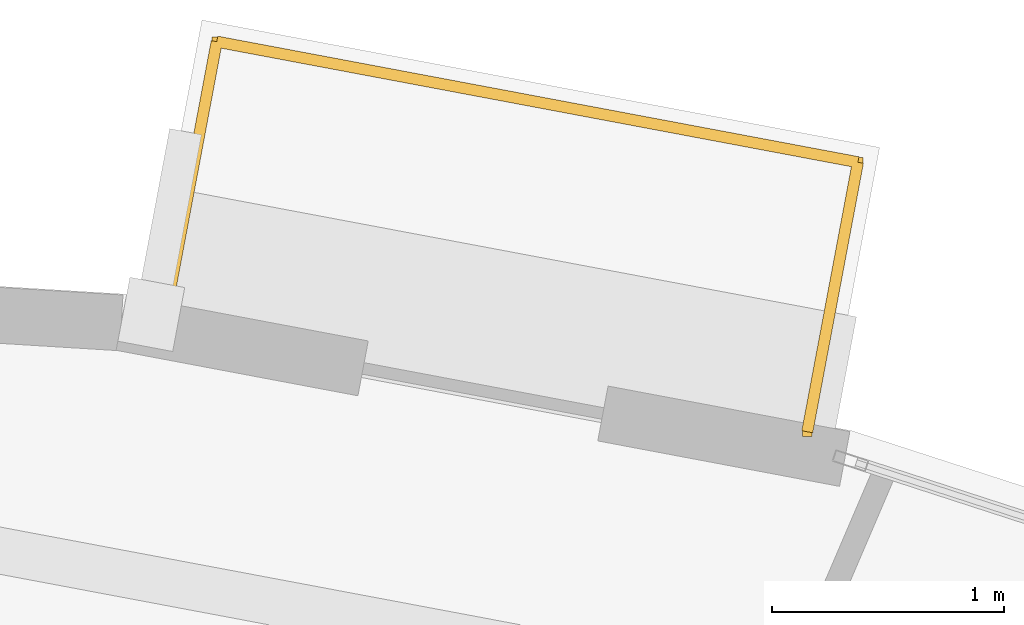
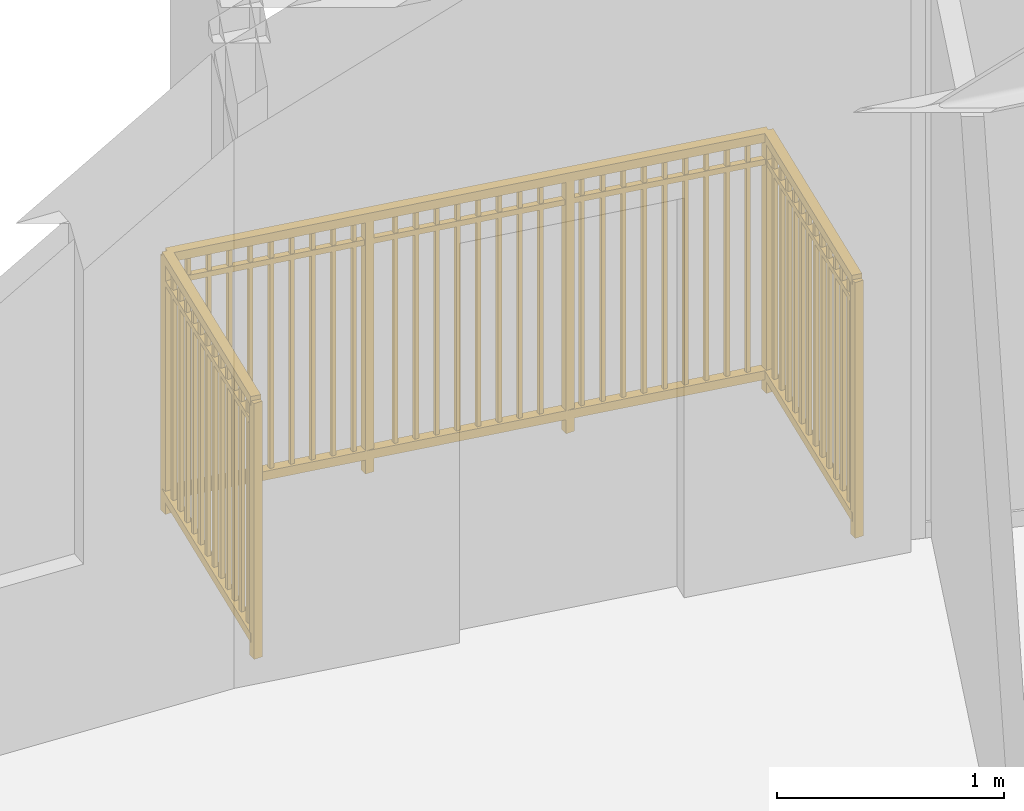
# One storey, part 17 of 17: 1 railing.
"""IFC4 building model written with IfcOpenShell, lengths in metres."""

from ifc_helpers import new_model, si_unit, direction, frame, origin, origin_2d, place, context, subcontext, project, spatial, rectangle, extrude, source, transform, mapped, material, type_object, element, save


model = new_model("IFC4")

# Units and contexts
model_context = context("Model", 3, precision=1e-05, world=origin(), true_north=direction((0.0, 1.0)))
body_context = subcontext(model_context, "Body", "Model", "MODEL_VIEW")
ifc_project = project(units=[si_unit("LENGTHUNIT", "METRE"), si_unit("AREAUNIT", "SQUARE_METRE"), si_unit("VOLUMEUNIT", "CUBIC_METRE"), si_unit("PLANEANGLEUNIT", "RADIAN"), si_unit("MASSUNIT", "GRAM", prefix="KILO")], contexts=[model_context])

# Site, building, storey
site_placement = place(None, origin())
site = spatial("IfcSite", under=ifc_project, at=site_placement, CompositionType="ELEMENT")
building_placement = place(site_placement, origin())
building = spatial("IfcBuilding", under=site, at=building_placement, Name="Linh Dai School and Residence Tower", CompositionType="ELEMENT")
storey_placement = place(building_placement, frame((0.0, 0.0, 335.39990234375)))
storey = spatial("IfcBuildingStorey", under=building, at=storey_placement, Name="L83", CompositionType="ELEMENT", Elevation=335.39990234375)

# Railing
ifc_material = material(Name="Structural Steel S355JR", Category="steel")
railing_type = type_object("IfcRailingType", Name="RL-BAL-1400", PredefinedType="BALUSTRADE", material=ifc_material)
shared_shape = source(origin(), body_context, "Body", "SweptSolid", [
    extrude(rectangle(XDim=0.048095703125, YDim=0.048095703125, at=origin_2d()), frame((0.0, 0.0, 1.3759765625), z_axis=(0.18476321632, 0.982783065531, 0.0), x_axis=(-0.982783065531, 0.18476321632, 0.0)), (0.0, 0.0, 1.0), 1.179931640625),
    extrude(rectangle(XDim=0.048095703125, YDim=0.048095703125, at=origin_2d()), frame((0.0, 0.0, 0.10009765625), z_axis=(0.18476321632, 0.982783065531, 0.0), x_axis=(-0.982783065531, 0.18476321632, 0.0)), (0.0, 0.0, 1.0), 1.179931640625),
    extrude(rectangle(XDim=0.030029296875, YDim=0.030029296875, at=origin_2d()), frame((0.0, 0.0, 1.239990234375), z_axis=(0.18476321632, 0.982783065531, 0.0), x_axis=(-0.982783065531, 0.18476321632, 0.0)), (0.0, 0.0, 1.0), 1.179931640625),
    extrude(rectangle(XDim=0.02001953125, YDim=0.02001953125, at=origin_2d()), frame((0.016845703125, 0.089111328125, 0.10009765625)), (0.0, 0.0, 1.0), 1.251708984375),
    extrude(rectangle(XDim=0.02001953125, YDim=0.02001953125, at=origin_2d()), frame((0.033447265625, 0.178466796875, 0.10009765625)), (0.0, 0.0, 1.0), 1.251708984375),
    extrude(rectangle(XDim=0.02001953125, YDim=0.02001953125, at=origin_2d()), frame((0.05029296875, 0.267578125, 0.10009765625)), (0.0, 0.0, 1.0), 1.251708984375),
    extrude(rectangle(XDim=0.02001953125, YDim=0.02001953125, at=origin_2d()), frame((0.067138671875, 0.35693359375, 0.10009765625)), (0.0, 0.0, 1.0), 1.251708984375),
    extrude(rectangle(XDim=0.02001953125, YDim=0.02001953125, at=origin_2d()), frame((0.083740234375, 0.446044921875, 0.10009765625)), (0.0, 0.0, 1.0), 1.251708984375),
    extrude(rectangle(XDim=0.02001953125, YDim=0.02001953125, at=origin_2d()), frame((0.1005859375, 0.53515625, 0.10009765625)), (0.0, 0.0, 1.0), 1.251708984375),
    extrude(rectangle(XDim=0.02001953125, YDim=0.02001953125, at=origin_2d()), frame((0.117431640625, 0.62451171875, 0.10009765625)), (0.0, 0.0, 1.0), 1.251708984375),
    extrude(rectangle(XDim=0.02001953125, YDim=0.02001953125, at=origin_2d()), frame((0.13427734375, 0.713623046875, 0.10009765625)), (0.0, 0.0, 1.0), 1.251708984375),
    extrude(rectangle(XDim=0.02001953125, YDim=0.02001953125, at=origin_2d()), frame((0.15087890625, 0.802734375, 0.10009765625)), (0.0, 0.0, 1.0), 1.251708984375),
    extrude(rectangle(XDim=0.02001953125, YDim=0.02001953125, at=origin_2d()), frame((0.167724609375, 0.89208984375, 0.10009765625)), (0.0, 0.0, 1.0), 1.251708984375),
    extrude(rectangle(XDim=0.02001953125, YDim=0.02001953125, at=origin_2d()), frame((0.1845703125, 0.981201171875, 0.10009765625)), (0.0, 0.0, 1.0), 1.251708984375),
    extrude(rectangle(XDim=0.02001953125, YDim=0.02001953125, at=origin_2d()), frame((0.201171875, 1.070556640625, 0.10009765625)), (0.0, 0.0, 1.0), 1.251708984375),
    extrude(rectangle(XDim=0.048095703125, YDim=0.048095703125, at=origin_2d()), frame((0.218017578125, 1.15966796875, 1.3759765625), z_axis=(0.982773588797, -0.184813617362, 0.0), x_axis=(0.184813617362, 0.982773588797, 0.0)), (0.0, 0.0, 1.0), 2.80712890625),
    extrude(rectangle(XDim=0.048095703125, YDim=0.048095703125, at=origin_2d()), frame((0.218017578125, 1.15966796875, 0.10009765625), z_axis=(0.982773588797, -0.184813617362, 0.0), x_axis=(0.184813617362, 0.982773588797, 0.0)), (0.0, 0.0, 1.0), 2.80712890625),
    extrude(rectangle(XDim=0.030029296875, YDim=0.030029296875, at=origin_2d()), frame((0.218017578125, 1.15966796875, 1.239990234375), z_axis=(0.982773588797, -0.184813617362, 0.0), x_axis=(0.184813617362, 0.982773588797, 0.0)), (0.0, 0.0, 1.0), 2.80712890625),
    extrude(rectangle(XDim=0.02001953125, YDim=0.02001953125, at=origin_2d()), frame((0.313232421875, 1.141845703125, 0.10009765625)), (0.0, 0.0, 1.0), 1.251708984375),
    extrude(rectangle(XDim=0.02001953125, YDim=0.02001953125, at=origin_2d()), frame((0.408203125, 1.123779296875, 0.10009765625)), (0.0, 0.0, 1.0), 1.251708984375),
    extrude(rectangle(XDim=0.02001953125, YDim=0.02001953125, at=origin_2d()), frame((0.50341796875, 1.10595703125, 0.10009765625)), (0.0, 0.0, 1.0), 1.251708984375),
    extrude(rectangle(XDim=0.02001953125, YDim=0.02001953125, at=origin_2d()), frame((0.5986328125, 1.088134765625, 0.10009765625)), (0.0, 0.0, 1.0), 1.251708984375),
    extrude(rectangle(XDim=0.02001953125, YDim=0.02001953125, at=origin_2d()), frame((0.693603515625, 1.0703125, 0.10009765625)), (0.0, 0.0, 1.0), 1.251708984375),
    extrude(rectangle(XDim=0.02001953125, YDim=0.02001953125, at=origin_2d()), frame((0.788818359375, 1.05224609375, 0.10009765625)), (0.0, 0.0, 1.0), 1.251708984375),
    extrude(rectangle(XDim=0.02001953125, YDim=0.02001953125, at=origin_2d()), frame((0.884033203125, 1.034423828125, 0.10009765625)), (0.0, 0.0, 1.0), 1.251708984375),
    extrude(rectangle(XDim=0.02001953125, YDim=0.02001953125, at=origin_2d()), frame((0.97900390625, 1.0166015625, 0.10009765625)), (0.0, 0.0, 1.0), 1.251708984375),
    extrude(rectangle(XDim=0.02001953125, YDim=0.02001953125, at=origin_2d()), frame((1.07421875, 0.998779296875, 0.10009765625)), (0.0, 0.0, 1.0), 1.251708984375),
    extrude(rectangle(XDim=0.02001953125, YDim=0.02001953125, at=origin_2d()), frame((1.264404296875, 0.962890625, 0.10009765625)), (0.0, 0.0, 1.0), 1.251708984375),
    extrude(rectangle(XDim=0.02001953125, YDim=0.02001953125, at=origin_2d()), frame((1.359619140625, 0.945068359375, 0.10009765625)), (0.0, 0.0, 1.0), 1.251708984375),
    extrude(rectangle(XDim=0.02001953125, YDim=0.02001953125, at=origin_2d()), frame((1.454833984375, 0.927001953125, 0.10009765625)), (0.0, 0.0, 1.0), 1.251708984375),
    extrude(rectangle(XDim=0.02001953125, YDim=0.02001953125, at=origin_2d()), frame((1.5498046875, 0.9091796875, 0.10009765625)), (0.0, 0.0, 1.0), 1.251708984375),
    extrude(rectangle(XDim=0.02001953125, YDim=0.02001953125, at=origin_2d()), frame((1.64501953125, 0.891357421875, 0.10009765625)), (0.0, 0.0, 1.0), 1.251708984375),
    extrude(rectangle(XDim=0.02001953125, YDim=0.02001953125, at=origin_2d()), frame((1.739990234375, 0.87353515625, 0.10009765625)), (0.0, 0.0, 1.0), 1.251708984375),
    extrude(rectangle(XDim=0.02001953125, YDim=0.02001953125, at=origin_2d()), frame((1.835205078125, 0.85546875, 0.10009765625)), (0.0, 0.0, 1.0), 1.251708984375),
    extrude(rectangle(XDim=0.02001953125, YDim=0.02001953125, at=origin_2d()), frame((1.930419921875, 0.837646484375, 0.10009765625)), (0.0, 0.0, 1.0), 1.251708984375),
    extrude(rectangle(XDim=0.02001953125, YDim=0.02001953125, at=origin_2d()), frame((2.12060546875, 0.8017578125, 0.10009765625)), (0.0, 0.0, 1.0), 1.251708984375),
    extrude(rectangle(XDim=0.02001953125, YDim=0.02001953125, at=origin_2d()), frame((2.2158203125, 0.783935546875, 0.10009765625)), (0.0, 0.0, 1.0), 1.251708984375),
    extrude(rectangle(XDim=0.02001953125, YDim=0.02001953125, at=origin_2d()), frame((2.310791015625, 0.76611328125, 0.10009765625)), (0.0, 0.0, 1.0), 1.251708984375),
    extrude(rectangle(XDim=0.02001953125, YDim=0.02001953125, at=origin_2d()), frame((2.406005859375, 0.748291015625, 0.10009765625)), (0.0, 0.0, 1.0), 1.251708984375),
    extrude(rectangle(XDim=0.02001953125, YDim=0.02001953125, at=origin_2d()), frame((2.501220703125, 0.730224609375, 0.10009765625)), (0.0, 0.0, 1.0), 1.251708984375),
    extrude(rectangle(XDim=0.02001953125, YDim=0.02001953125, at=origin_2d()), frame((2.59619140625, 0.71240234375, 0.10009765625)), (0.0, 0.0, 1.0), 1.251708984375),
    extrude(rectangle(XDim=0.02001953125, YDim=0.02001953125, at=origin_2d()), frame((2.69140625, 0.694580078125, 0.10009765625)), (0.0, 0.0, 1.0), 1.251708984375),
    extrude(rectangle(XDim=0.02001953125, YDim=0.02001953125, at=origin_2d()), frame((2.78662109375, 0.6767578125, 0.10009765625)), (0.0, 0.0, 1.0), 1.251708984375),
    extrude(rectangle(XDim=0.02001953125, YDim=0.02001953125, at=origin_2d()), frame((2.881591796875, 0.65869140625, 0.10009765625)), (0.0, 0.0, 1.0), 1.251708984375),
    extrude(rectangle(XDim=0.048095703125, YDim=0.048095703125, at=origin_2d()), frame((2.976806640625, 0.640869140625, 1.3759765625), z_axis=(-0.18476321632, -0.982783065531, 0.0), x_axis=(0.982783065531, -0.18476321632, 0.0)), (0.0, 0.0, 1.0), 1.179931640625),
    extrude(rectangle(XDim=0.048095703125, YDim=0.048095703125, at=origin_2d()), frame((2.976806640625, 0.640869140625, 0.10009765625), z_axis=(-0.18476321632, -0.982783065531, 0.0), x_axis=(0.982783065531, -0.18476321632, 0.0)), (0.0, 0.0, 1.0), 1.179931640625),
    extrude(rectangle(XDim=0.030029296875, YDim=0.030029296875, at=origin_2d()), frame((2.976806640625, 0.640869140625, 1.239990234375), z_axis=(-0.18476321632, -0.982783065531, 0.0), x_axis=(0.982783065531, -0.18476321632, 0.0)), (0.0, 0.0, 1.0), 1.179931640625),
    extrude(rectangle(XDim=0.02001953125, YDim=0.02001953125, at=origin_2d()), frame((2.9599609375, 0.5517578125, 0.10009765625)), (0.0, 0.0, 1.0), 1.251708984375),
    extrude(rectangle(XDim=0.02001953125, YDim=0.02001953125, at=origin_2d()), frame((2.943359375, 0.46240234375, 0.10009765625)), (0.0, 0.0, 1.0), 1.251708984375),
    extrude(rectangle(XDim=0.02001953125, YDim=0.02001953125, at=origin_2d()), frame((2.926513671875, 0.373291015625, 0.10009765625)), (0.0, 0.0, 1.0), 1.251708984375),
    extrude(rectangle(XDim=0.02001953125, YDim=0.02001953125, at=origin_2d()), frame((2.90966796875, 0.283935546875, 0.10009765625)), (0.0, 0.0, 1.0), 1.251708984375),
    extrude(rectangle(XDim=0.02001953125, YDim=0.02001953125, at=origin_2d()), frame((2.89306640625, 0.19482421875, 0.10009765625)), (0.0, 0.0, 1.0), 1.251708984375),
    extrude(rectangle(XDim=0.02001953125, YDim=0.02001953125, at=origin_2d()), frame((2.876220703125, 0.105712890625, 0.10009765625)), (0.0, 0.0, 1.0), 1.251708984375),
    extrude(rectangle(XDim=0.02001953125, YDim=0.02001953125, at=origin_2d()), frame((2.859375, 0.016357421875, 0.10009765625)), (0.0, 0.0, 1.0), 1.251708984375),
    extrude(rectangle(XDim=0.02001953125, YDim=0.02001953125, at=origin_2d()), frame((2.842529296875, -0.07275390625, 0.10009765625)), (0.0, 0.0, 1.0), 1.251708984375),
    extrude(rectangle(XDim=0.02001953125, YDim=0.02001953125, at=origin_2d()), frame((2.825927734375, -0.161865234375, 0.10009765625)), (0.0, 0.0, 1.0), 1.251708984375),
    extrude(rectangle(XDim=0.02001953125, YDim=0.02001953125, at=origin_2d()), frame((2.80908203125, -0.251220703125, 0.10009765625)), (0.0, 0.0, 1.0), 1.251708984375),
    extrude(rectangle(XDim=0.02001953125, YDim=0.02001953125, at=origin_2d()), frame((2.792236328125, -0.34033203125, 0.10009765625)), (0.0, 0.0, 1.0), 1.251708984375),
    extrude(rectangle(XDim=0.02001953125, YDim=0.02001953125, at=origin_2d()), frame((2.775634765625, -0.4296875, 0.10009765625)), (0.0, 0.0, 1.0), 1.251708984375),
    extrude(rectangle(XDim=0.0419921875, YDim=0.0419921875, at=origin_2d()), origin(), (0.0, 0.0, 1.0), 1.3759765625),
    extrude(rectangle(XDim=0.0419921875, YDim=0.0419921875, at=origin_2d()), frame((0.218017578125, 1.15966796875, 0.0)), (0.0, 0.0, 1.0), 1.3759765625),
    extrude(rectangle(XDim=0.0419921875, YDim=0.0419921875, at=origin_2d()), frame((1.1376953125, 0.98681640625, 0.0)), (0.0, 0.0, 1.0), 1.3759765625),
    extrude(rectangle(XDim=0.0419921875, YDim=0.0419921875, at=origin_2d()), frame((2.05712890625, 0.813720703125, 0.0)), (0.0, 0.0, 1.0), 1.3759765625),
    extrude(rectangle(XDim=0.0419921875, YDim=0.0419921875, at=origin_2d()), frame((2.976806640625, 0.640869140625, 0.0)), (0.0, 0.0, 1.0), 1.3759765625),
    extrude(rectangle(XDim=0.0419921875, YDim=0.0419921875, at=origin_2d()), frame((2.7587890625, -0.518798828125, 0.0)), (0.0, 0.0, 1.0), 1.3759765625),
])
railing_placement = place(storey_placement, frame((39.384033203125, 42.78369140625, 0.0)))
element("IfcRailing", 1, at=railing_placement, inside=storey, type_object=railing_type, Name="L83 Balcony Safety Balustrade 09", PredefinedType="BALUSTRADE", context=body_context, shape_type="MappedRepresentation", body=[
    mapped(shared_shape, transform((0.0, 0.0, 0.0), x_axis=(1.0, 0.0, 0.0), y_axis=(0.0, 1.0, 0.0), z_axis=(0.0, 0.0, 1.0), scale=1.0)),
])

save(model, "model.ifc")
